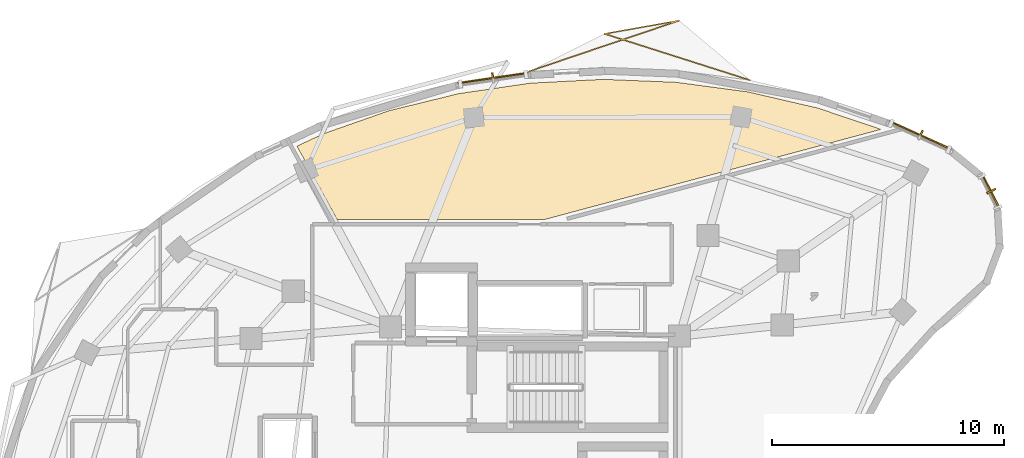
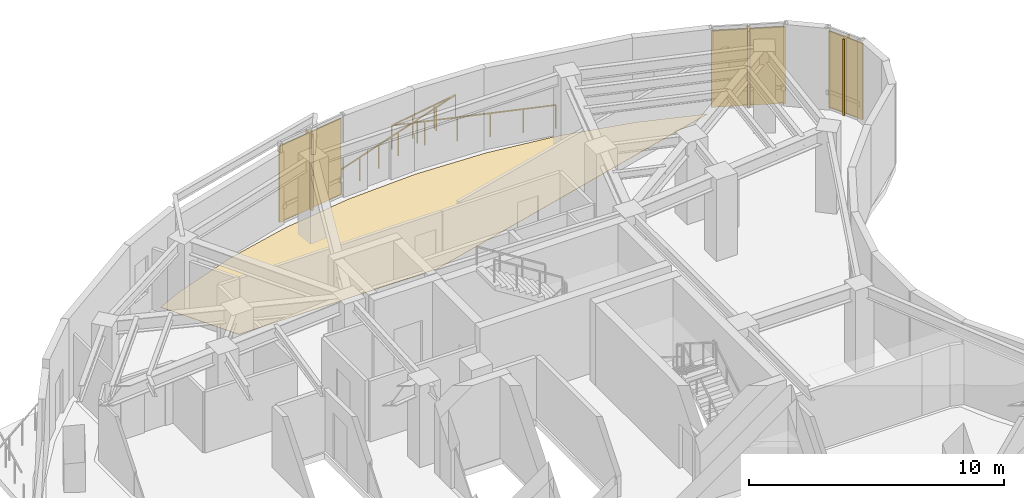
# One storey, part 13 of 13: 6 shading devices, 1 covering, 1 railing.
"""IFC4 building model written with IfcOpenShell, lengths in metres."""

from ifc_helpers import new_model, si_unit, direction, frame, origin, origin_2d, place, context, subcontext, project, spatial, polyline, rectangle, outline, extrude, material, layer, layer_set, type_object, element, save


model = new_model("IFC4")

# Units and contexts
model_context = context("Model", 3, precision=1e-05, world=origin(), true_north=direction((0.0, 1.0)))
body_context = subcontext(model_context, "Body", "Model", "MODEL_VIEW")
ifc_project = project(units=[si_unit("LENGTHUNIT", "METRE"), si_unit("AREAUNIT", "SQUARE_METRE"), si_unit("VOLUMEUNIT", "CUBIC_METRE"), si_unit("PLANEANGLEUNIT", "RADIAN"), si_unit("MASSUNIT", "GRAM", prefix="KILO")], contexts=[model_context])

# Site, building, storey
site_placement = place(None, origin())
site = spatial("IfcSite", under=ifc_project, at=site_placement, CompositionType="ELEMENT")
building_placement = place(site_placement, origin())
building = spatial("IfcBuilding", under=site, at=building_placement, Name="Korentha Bioscience Tower", CompositionType="ELEMENT")
storey_placement = place(building_placement, frame((0.0, 0.0, 268.800048828125)))
storey = spatial("IfcBuildingStorey", under=building, at=storey_placement, Name="L62", CompositionType="ELEMENT", Elevation=268.800048828125)

# Railing
ifc_material_1 = material(Name="Laminated Tempered Safety Glass", Category="glass")
railing_type = type_object("IfcRailingType", Name="Laminated Glass Balcony Guardrail 1150", PredefinedType="BALUSTRADE", material=ifc_material_1)
railing_placement = place(storey_placement, frame((40.58544921875, 46.86376953125, 0.0)))
element("IfcRailing", 1, at=railing_placement, inside=storey, type_object=railing_type, Name="L62 Balcony Guardrail 01", PredefinedType="BALUSTRADE", context=body_context, shape_type="SweptSolid", body=[
    extrude(rectangle(XDim=0.048095703125, YDim=0.048095703125, at=origin_2d()), frame((0.0, 0.0, 1.1259765625), z_axis=(-0.952784401028, 0.303647633217, 0.0), x_axis=(-0.303647633217, -0.952784401028, 0.0)), (0.0, 0.0, 1.0), 6.581787109375),
    extrude(rectangle(XDim=0.048095703125, YDim=0.048095703125, at=origin_2d()), frame((-6.27099609375, 1.99853515625, 1.1259765625), z_axis=(0.984583406865, 0.174915736644, 0.0), x_axis=(-0.174915736644, 0.984583406865, 0.0)), (0.0, 0.0, 1.0), 3.2646484375),
    extrude(rectangle(XDim=0.048095703125, YDim=0.048095703125, at=origin_2d()), frame((-3.056640625, 2.569580078125, 1.1259765625), z_axis=(-0.947164584916, -0.320747952576, 0.0), x_axis=(0.320747952576, -0.947164584916, 0.0)), (0.0, 0.0, 1.0), 6.816162109375),
    extrude(rectangle(XDim=0.0419921875, YDim=0.0419921875, at=origin_2d()), origin(), (0.0, 0.0, 1.0), 1.101806640625),
    extrude(rectangle(XDim=0.0419921875, YDim=0.0419921875, at=origin_2d()), frame((-1.254150390625, 0.399658203125, 0.0)), (0.0, 0.0, 1.0), 1.101806640625),
    extrude(rectangle(XDim=0.0419921875, YDim=0.0419921875, at=origin_2d()), frame((-2.50830078125, 0.79931640625, 0.0)), (0.0, 0.0, 1.0), 1.101806640625),
    extrude(rectangle(XDim=0.0419921875, YDim=0.0419921875, at=origin_2d()), frame((-3.7626953125, 1.19921875, 0.0)), (0.0, 0.0, 1.0), 1.101806640625),
    extrude(rectangle(XDim=0.0419921875, YDim=0.0419921875, at=origin_2d()), frame((-5.016845703125, 1.598876953125, 0.0)), (0.0, 0.0, 1.0), 1.101806640625),
    extrude(rectangle(XDim=0.0419921875, YDim=0.0419921875, at=origin_2d()), frame((-6.27099609375, 1.99853515625, 0.0)), (0.0, 0.0, 1.0), 1.101806640625),
    extrude(rectangle(XDim=0.0419921875, YDim=0.0419921875, at=origin_2d()), frame((-5.199462890625, 2.18896484375, 0.0)), (0.0, 0.0, 1.0), 1.101806640625),
    extrude(rectangle(XDim=0.0419921875, YDim=0.0419921875, at=origin_2d()), frame((-4.128173828125, 2.379150390625, 0.0)), (0.0, 0.0, 1.0), 1.101806640625),
    extrude(rectangle(XDim=0.0419921875, YDim=0.0419921875, at=origin_2d()), frame((-3.056640625, 2.569580078125, 0.0)), (0.0, 0.0, 1.0), 1.101806640625),
    extrude(rectangle(XDim=0.0419921875, YDim=0.0419921875, at=origin_2d()), frame((-4.132568359375, 2.205078125, 0.0)), (0.0, 0.0, 1.0), 1.101806640625),
    extrude(rectangle(XDim=0.0419921875, YDim=0.0419921875, at=origin_2d()), frame((-5.208740234375, 1.8408203125, 0.0)), (0.0, 0.0, 1.0), 1.101806640625),
    extrude(rectangle(XDim=0.0419921875, YDim=0.0419921875, at=origin_2d()), frame((-6.28466796875, 1.4765625, 0.0)), (0.0, 0.0, 1.0), 1.101806640625),
    extrude(rectangle(XDim=0.0419921875, YDim=0.0419921875, at=origin_2d()), frame((-7.360595703125, 1.112060546875, 0.0)), (0.0, 0.0, 1.0), 1.101806640625),
    extrude(rectangle(XDim=0.0419921875, YDim=0.0419921875, at=origin_2d()), frame((-8.436767578125, 0.74755859375, 0.0)), (0.0, 0.0, 1.0), 1.101806640625),
    extrude(rectangle(XDim=0.0419921875, YDim=0.0419921875, at=origin_2d()), frame((-9.5126953125, 0.38330078125, 0.0)), (0.0, 0.0, 1.0), 1.101806640625),
])

# Shading devices
ifc_material_2 = material(Name="Perforated Stone-Ceramic Composite", Category="masonry")
ifc_layer_1 = layer(ifc_material_2, 0.06494140625, Name="Perforated Stone-Ceramic Composite")
ifc_layer_set_1 = layer_set([ifc_layer_1], Name="Perforated Stone-Ceramic Composite (CS-01)")
shading_device_type_1 = type_object("IfcShadingDeviceType", Name="Perforated Stone-Ceramic Solar Screen Panel 65", PredefinedType="USERDEFINED", material=ifc_layer_set_1)
shading_device_1_placement = place(storey_placement, frame((47.91162109375, 44.492919921875, 0.0), z_axis=(0.0, 0.0, 1.0), x_axis=(-0.910604060449, 0.413279862918, 0.0)))
element("IfcShadingDevice", 2, at=shading_device_1_placement, inside=storey, type_object=shading_device_type_1, Name="CW-L62-01 Perforated Stone-Ceramic Solar Screen", ObjectType="SCREEN", PredefinedType="USERDEFINED", context=body_context, shape_type="SweptSolid", body=[
    extrude(rectangle(XDim=2.917236328125, YDim=0.06494140625, at=origin_2d()), origin(), (0.0, 0.0, 1.0), 3.64990234375),
])
shading_device_2_placement = place(storey_placement, frame((29.514404296875, 46.958251953125, 0.0), z_axis=(0.0, 0.0, 1.0), x_axis=(-0.989459665324, -0.144808738328, 0.0)))
element("IfcShadingDevice", 3, at=shading_device_2_placement, inside=storey, type_object=shading_device_type_1, Name="CW-L62-07 Perforated Stone-Ceramic Solar Screen", ObjectType="SCREEN", PredefinedType="USERDEFINED", context=body_context, shape_type="SweptSolid", body=[
    extrude(rectangle(XDim=3.067626953125, YDim=0.06494140625, at=origin_2d()), origin(), (0.0, 0.0, 1.0), 3.64990234375),
])
shading_device_3_placement = place(storey_placement, frame((50.940673828125, 42.083251953125, 0.0), z_axis=(0.0, 0.0, 1.0), x_axis=(-0.454238686477, 0.890880023184, 0.0)))
element("IfcShadingDevice", 4, at=shading_device_3_placement, inside=storey, type_object=shading_device_type_1, Name="CW-L62-61 Perforated Stone-Ceramic Solar Screen", ObjectType="SCREEN", PredefinedType="USERDEFINED", context=body_context, shape_type="SweptSolid", body=[
    extrude(rectangle(XDim=1.58154296875, YDim=0.06494140625, at=origin_2d()), origin(), (0.0, 0.0, 1.0), 3.64990234375),
])

# Covering
ifc_material_3 = material(Name="Chemical-Resistant Epoxy Resin", Category="polymer")
ifc_layer_2 = layer(ifc_material_3, 0.011962890625, Name="Chemical-Resistant Epoxy Resin")
ifc_layer_set_2 = layer_set([ifc_layer_2], Name="Chemical-Resistant Epoxy Resin (FL-EPX)")
covering_type = type_object("IfcCoveringType", Name="Seamless Epoxy Laboratory Flooring 12", PredefinedType="FLOORING", material=ifc_layer_set_2)
covering_placement = place(storey_placement, origin())
element("IfcCovering", 5, at=covering_placement, inside=storey, type_object=covering_type, Name="L62 Incubator and Bioreactor Suite 05 Floor Finish", PredefinedType="FLOORING", context=body_context, shape_type="SweptSolid", body=[
    extrude(outline(polyline([(22.189453125, 44.552001953125), (25.043701171875, 45.554443359375), (28.0361328125, 46.287109375), (31.122802734375, 46.739013671875), (34.2587890625, 46.90283203125), (37.39794921875, 46.7763671875), (40.49365234375, 46.361328125), (43.501220703125, 45.66455078125), (46.217041015625, 44.749267578125), (31.77685546875, 40.8798828125), (22.79931640625, 40.8798828125), (21.072998046875, 44.027099609375), (22.189453125, 44.552001953125)])), origin(), (0.0, 0.0, 1.0), 0.011962890625),
])

# Shading devices
ifc_material_4 = material(Name="Honed Travertine Limestone", Category="masonry")
ifc_layer_3 = layer(ifc_material_4, 0.080078125, Name="Honed Travertine Limestone")
ifc_layer_set_3 = layer_set([ifc_layer_3], Name="Honed Travertine Limestone (CS-02)")
shading_device_type_2 = type_object("IfcShadingDeviceType", Name="Vertical Honed Limestone Sunshade Fin 80x420", PredefinedType="USERDEFINED", material=ifc_layer_set_3)
for number, where, z_axis, x_axis, name in (
    (6, (47.919921875, 44.510986328125, 0.0), (0.0, 0.0, 1.0), (-0.910604060449, 0.413279862918, 0.0), "CW-L62-01 Limestone Sunshade Fin"),
    (7, (29.511474609375, 46.97802734375, 0.0), (0.0, 0.0, 1.0), (-0.989459665324, -0.144808738328, 0.0), "CW-L62-07 Limestone Sunshade Fin"),
    (8, (50.95849609375, 42.09228515625, 0.0), (0.0, 0.0, 1.0), (-0.454238686477, 0.890880023184, 0.0), "CW-L62-61 Limestone Sunshade Fin"),
):
    element("IfcShadingDevice", number, at=place(storey_placement, frame(where, z_axis=z_axis, x_axis=x_axis)), inside=storey, type_object=shading_device_type_2, Name=name, ObjectType="SCREEN", PredefinedType="USERDEFINED", context=body_context, shape_type="SweptSolid", body=[
        extrude(rectangle(XDim=0.080078125, YDim=0.419921875, at=origin_2d()), origin(), (0.0, 0.0, 1.0), 3.64990234375),
    ])

save(model, "model.ifc")
